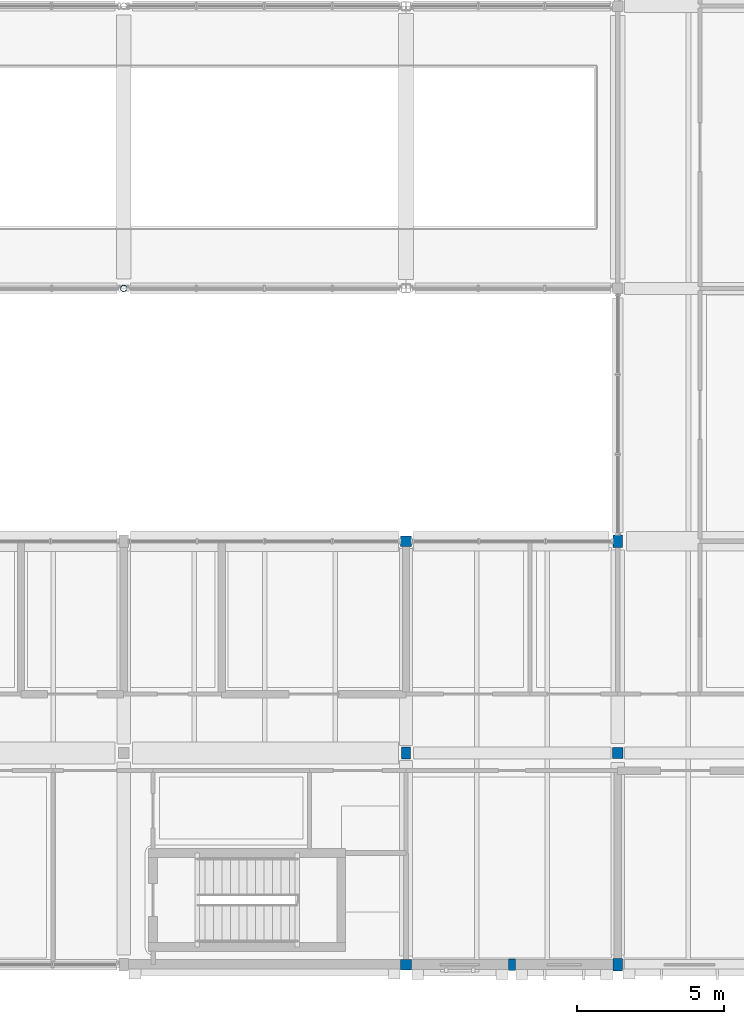
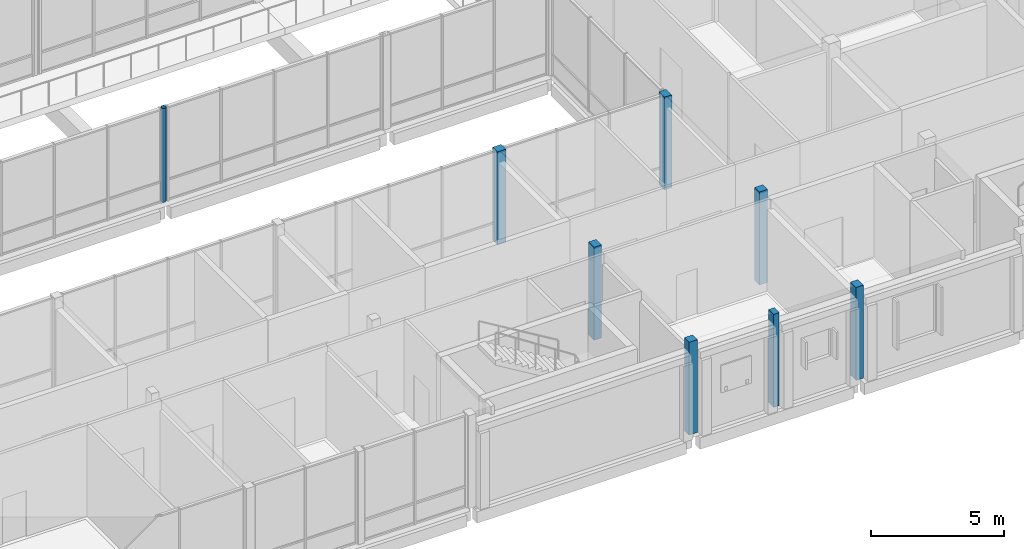
# One storey, part 10 of 146: 8 columns.
"""IFC4 building model written with IfcOpenShell, lengths in metres."""

from ifc_helpers import new_model, si_unit, direction, frame, origin, origin_2d, place, context, subcontext, project, spatial, rectangle, hollow_circle, extrude, material, material_profile, profile_set, type_object, element, save


model = new_model("IFC4")

# Units and contexts
model_context = context("Model", 3, precision=1e-05, world=origin(), true_north=direction((0.0, 1.0)))
body_context = subcontext(model_context, "Body", "Model", "MODEL_VIEW")
ifc_project = project(units=[si_unit("LENGTHUNIT", "METRE"), si_unit("AREAUNIT", "SQUARE_METRE"), si_unit("VOLUMEUNIT", "CUBIC_METRE"), si_unit("PLANEANGLEUNIT", "RADIAN"), si_unit("MASSUNIT", "GRAM", prefix="KILO")], contexts=[model_context])

# Site, building, storey
site_placement = place(None, origin())
site = spatial("IfcSite", under=ifc_project, at=site_placement, CompositionType="ELEMENT")
building_placement = place(site_placement, origin())
building = spatial("IfcBuilding", under=site, at=building_placement, Name="Hawrajan Terrace Health Centre", CompositionType="ELEMENT")
storey_placement = place(building_placement, frame((0.0, 0.0, 4.5)))
storey = spatial("IfcBuildingStorey", under=building, at=storey_placement, Name="L01", CompositionType="ELEMENT", Elevation=4.5)

# Columns
ifc_material_1 = material(Name="Glulam GL32h", Category="wood")
ifc_material_profile_1 = material_profile(ifc_material_1, rectangle(XDim=0.320068359375, YDim=0.419921875, at=origin_2d()), Name="GL 320x420")
ifc_profile_set_1 = profile_set([ifc_material_profile_1], Name="Glulam GL32h")
column_type_1 = type_object("IfcColumnType", Name="GlulamCol_320x420", PredefinedType="COLUMN", material=ifc_profile_set_1)
for number, where, z_axis, x_axis, name in (
    (1, (100.60009765625, 11.39990234375, 0.0), (0.0, 0.0, 1.0), (1.0, 0.0, 0.0), "Column COL-L01-C-X13-Y2"),
    (2, (107.800048828125, 4.199951171875, 0.0), (0.0, 0.0, 1.0), (1.0, 0.0, 0.0), "Column COL-L01-C-X14-Y1"),
    (3, (107.800048828125, 18.60009765625, 0.0), (0.0, 0.0, 1.0), (1.0, 0.0, 0.0), "Column COL-L01-C-X14-Y3"),
):
    element("IfcColumn", number, at=place(storey_placement, frame(where, z_axis=z_axis, x_axis=x_axis)), inside=storey, type_object=column_type_1, Name=name, PredefinedType="COLUMN", context=body_context, shape_type="SweptSolid", body=[
        extrude(rectangle(XDim=0.320068359375, YDim=0.419921875, at=origin_2d()), origin(), (0.0, 0.0, 1.0), 4.260009765625),
    ])
ifc_material_profile_2 = material_profile(ifc_material_1, rectangle(XDim=0.360107421875, YDim=0.360107421875, at=origin_2d()), Name="GL 360x360")
ifc_profile_set_2 = profile_set([ifc_material_profile_2], Name="Glulam GL32h")
column_type_2 = type_object("IfcColumnType", Name="GlulamCol_360x360", PredefinedType="COLUMN", material=ifc_profile_set_2)
for number, where, z_axis, x_axis, name in (
    (4, (100.60009765625, 4.199951171875, 0.0), (0.0, 0.0, 1.0), (1.0, 0.0, 0.0), "Column COL-L01-C-X13-Y1"),
    (5, (100.60009765625, 18.60009765625, 0.0), (0.0, 0.0, 1.0), (1.0, 0.0, 0.0), "Column COL-L01-C-X13-Y3"),
    (6, (107.800048828125, 11.39990234375, 0.0), (0.0, 0.0, 1.0), (1.0, 0.0, 0.0), "Column COL-L01-C-X14-Y2"),
):
    element("IfcColumn", number, at=place(storey_placement, frame(where, z_axis=z_axis, x_axis=x_axis)), inside=storey, type_object=column_type_2, Name=name, PredefinedType="COLUMN", context=body_context, shape_type="SweptSolid", body=[
        extrude(rectangle(XDim=0.360107421875, YDim=0.360107421875, at=origin_2d()), origin(), (0.0, 0.0, 1.0), 4.260009765625),
    ])
ifc_material_profile_3 = material_profile(ifc_material_1, rectangle(XDim=0.239990234375, YDim=0.3798828125, at=origin_2d()), Name="GL PIL 240x380")
ifc_profile_set_3 = profile_set([ifc_material_profile_3], Name="Glulam GL32h")
column_type_3 = type_object("IfcColumnType", Name="GlulamPilaster_240x380", PredefinedType="PILASTER", material=ifc_profile_set_3)
column_1_placement = place(storey_placement, frame((104.199951171875, 4.199951171875, 0.0), z_axis=(0.0, 0.0, 1.0), x_axis=(1.0, 0.0, 0.0)))
element("IfcColumn", 7, at=column_1_placement, inside=storey, type_object=column_type_3, Name="Art Deco fluted pilaster L01-13-Y1", PredefinedType="PILASTER", context=body_context, shape_type="SweptSolid", body=[
    extrude(rectangle(XDim=0.239990234375, YDim=0.3798828125, at=origin_2d()), origin(), (0.0, 0.0, 1.0), 4.260009765625),
])
ifc_material_2 = material(Name="Steel S355", Category="steel")
ifc_material_profile_4 = material_profile(ifc_material_2, hollow_circle(Radius=0.109619140625, WallThickness=0.010009765625, at=origin_2d()), Name="CHS 219.1x10.0")
ifc_profile_set_4 = profile_set([ifc_material_profile_4], Name="Steel S355")
column_type_4 = type_object("IfcColumnType", Name="SteelCol_CHS219", PredefinedType="COLUMN", material=ifc_profile_set_4)
column_2_placement = place(storey_placement, frame((91.0, 27.199951171875, 0.0), z_axis=(0.0, 0.0, 1.0), x_axis=(1.0, 0.0, 0.0)))
element("IfcColumn", 8, at=column_2_placement, inside=storey, type_object=column_type_4, Name="Column COL-L01-C-X12-Y4", PredefinedType="COLUMN", context=body_context, shape_type="SweptSolid", body=[
    extrude(hollow_circle(Radius=0.109619140625, WallThickness=0.010009765625, at=origin_2d()), origin(), (0.0, 0.0, 1.0), 4.300048828125),
])

save(model, "model.ifc")
